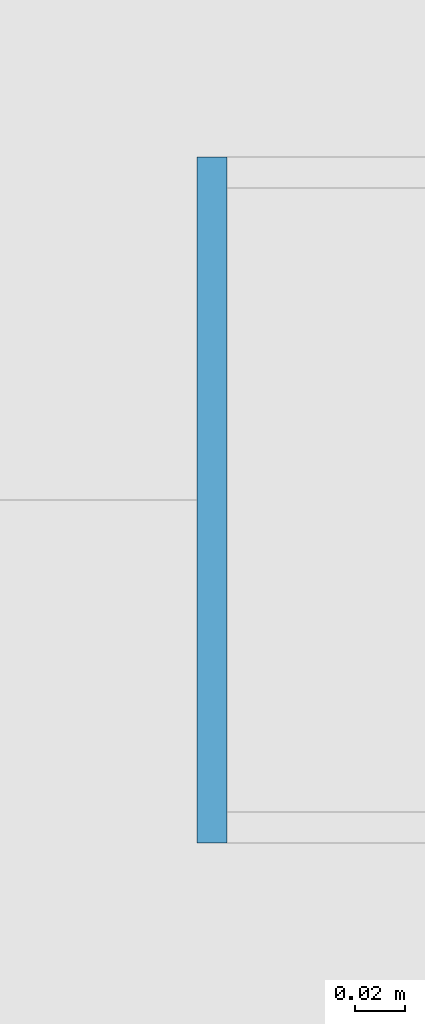
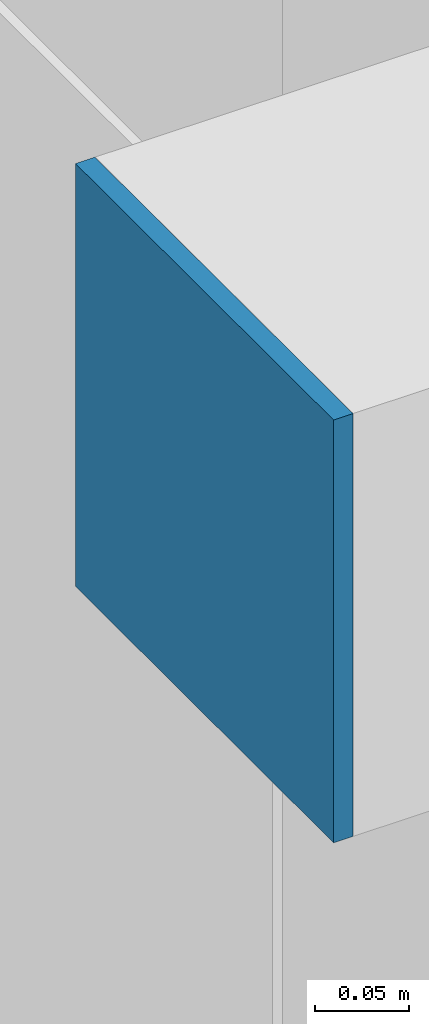
# One storey, part 33 of 45: 1 plate.
"""IFC4 building model written with IfcOpenShell, lengths in metres."""

from ifc_helpers import new_model, si_unit, direction, frame, origin, origin_2d, place, context, subcontext, project, spatial, rectangle, extrude, source, transform, mapped, material, layer, layer_set, type_object, element, save


model = new_model("IFC4")

# Units and contexts
model_context = context("Model", 3, precision=1e-05, world=origin(), true_north=direction((0.0, 1.0)))
body_context = subcontext(model_context, "Body", "Model", "MODEL_VIEW")
ifc_project = project(units=[si_unit("LENGTHUNIT", "METRE"), si_unit("AREAUNIT", "SQUARE_METRE"), si_unit("VOLUMEUNIT", "CUBIC_METRE"), si_unit("PLANEANGLEUNIT", "RADIAN"), si_unit("MASSUNIT", "GRAM", prefix="KILO")], contexts=[model_context])

# Site, building, storey
site_placement = place(None, origin())
site = spatial("IfcSite", under=ifc_project, at=site_placement, CompositionType="ELEMENT")
building_placement = place(site_placement, origin())
building = spatial("IfcBuilding", under=site, at=building_placement, Name="Taldren Reach Tower", CompositionType="ELEMENT")
storey_placement = place(building_placement, frame((0.0, 0.0, 57.75)))
storey = spatial("IfcBuildingStorey", under=building, at=storey_placement, Name="L17", CompositionType="ELEMENT", Elevation=57.75)

# Plate
ifc_material = material(Name="Steel Gr 450 (C450L0)", Category="steel")
ifc_layer = layer(ifc_material, 0.011962890625)
ifc_layer_set = layer_set([ifc_layer], Name="Steel Gr 450 (C450L0)")
plate_type = type_object("IfcPlateType", Name="PL-CAP-275", PredefinedType="SHEET", material=ifc_layer_set)
shared_shape = source(origin(), body_context, "Body", "SweptSolid", [
    extrude(rectangle(XDim=0.011962890625, YDim=0.27490234375, at=origin_2d()), origin(), (0.0, 0.0, 1.0), 0.27490234375),
])
plate_placement = place(storey_placement, frame((4.093994140625, 20.0, 2.45263671875), z_axis=(0.0, 0.0, 1.0), x_axis=(1.0, 0.0, 0.0)))
element("IfcPlate", 1, at=plate_placement, inside=storey, type_object=plate_type, Name="Tie strut end cap plate B1-W2 L17", PredefinedType="SHEET", context=body_context, shape_type="MappedRepresentation", body=[
    mapped(shared_shape, transform((0.0, 0.0, 0.0), scale=1.0)),
])

save(model, "model.ifc")
